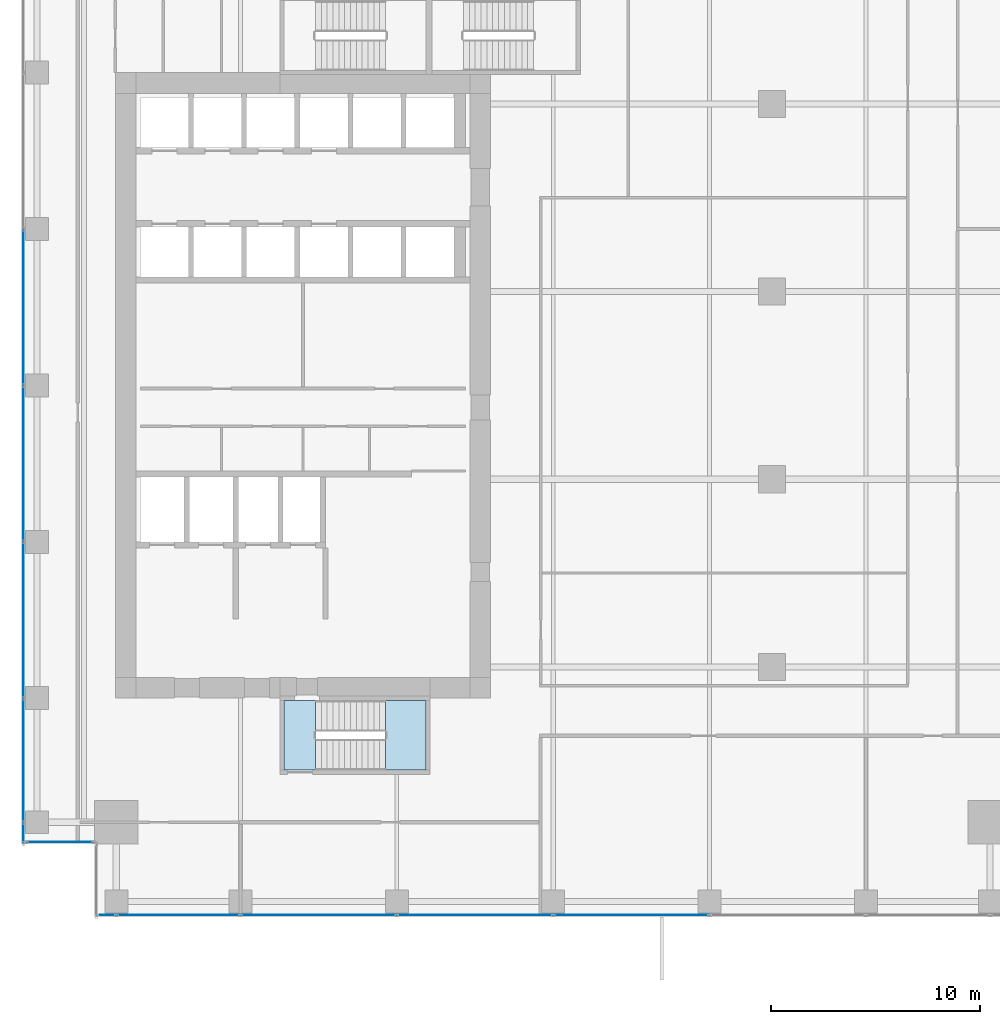
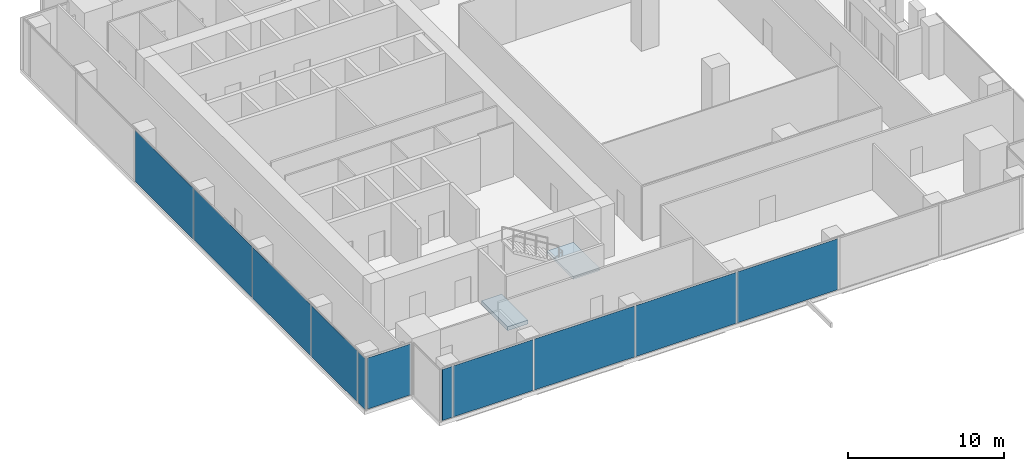
# One storey, part 23 of 34: 11 plates, 2 slabs, 4 elements without a shape of their own.
"""IFC4 building model written with IfcOpenShell, lengths in metres."""

from ifc_helpers import new_model, si_unit, direction, frame, origin, origin_2d, place, context, subcontext, project, spatial, polyline, rectangle, outline, extrude, source, transform, mapped, material, layer, layer_set, type_object, element, aggregate, save


model = new_model("IFC4")

# Units and contexts
model_context = context("Model", 3, precision=1e-05, world=origin(), true_north=direction((0.0, 1.0)))
body_context = subcontext(model_context, "Body", "Model", "MODEL_VIEW")
ifc_project = project(units=[si_unit("LENGTHUNIT", "METRE"), si_unit("AREAUNIT", "SQUARE_METRE"), si_unit("VOLUMEUNIT", "CUBIC_METRE"), si_unit("PLANEANGLEUNIT", "RADIAN"), si_unit("MASSUNIT", "GRAM", prefix="KILO")], contexts=[model_context])

# Site, building, storey
site_placement = place(None, origin())
site = spatial("IfcSite", under=ifc_project, at=site_placement, CompositionType="ELEMENT")
building_placement = place(site_placement, origin())
building = spatial("IfcBuilding", under=site, at=building_placement, Name="Khomas Fold Tower", CompositionType="ELEMENT")
storey_placement = place(building_placement, frame((0.0, 0.0, 145.5)))
storey = spatial("IfcBuildingStorey", under=building, at=storey_placement, Name="L31", CompositionType="ELEMENT", Elevation=145.5)

# Curtain wall, plates
ifc_material_1 = material(Name="Aluminium framed double glazing", Category="aluminium")
curtain_wall_type = type_object("IfcCurtainWallType", Name="SK-Unitised clear-glass wall, growing floors CW1", PredefinedType="NOTDEFINED", material=ifc_material_1)
curtain_wall_1_placement = place(storey_placement, origin())
curtain_wall_1 = element("IfcCurtainWall", 1, at=curtain_wall_1_placement, inside=storey, type_object=curtain_wall_type, Name="CW1 run L31 00-0", PredefinedType="NOTDEFINED")
ifc_material_2 = material(Name="Clear double glazed unit")
ifc_layer_1 = layer(ifc_material_2, 0.031982421875)
ifc_layer_set_1 = layer_set([ifc_layer_1], Name="Clear double glazed unit")
plate_type = type_object("IfcPlateType", Name="SK-Unitised clear-glass wall, growing floors glass panel CW1-P", PredefinedType="CURTAIN_PANEL", material=ifc_layer_set_1)
shared_shape_1 = source(origin(), body_context, "Body", "SweptSolid", [
    extrude(rectangle(XDim=0.760009765625, YDim=0.031982421875, at=origin_2d()), origin(), (0.0, 0.0, 1.0), 3.97998046875),
])
plate_1_placement = place(storey_placement, frame((5.639892578125, 1.60009765625, 0.0), z_axis=(0.0, 0.0, 1.0), x_axis=(1.0, 0.0, 0.0)))
plate_1 = element("IfcPlate", 2, at=plate_1_placement, type_object=plate_type, Name="CW1 glass panel 1", PredefinedType="CURTAIN_PANEL", context=body_context, shape_type="MappedRepresentation", body=[
    mapped(shared_shape_1, transform((0.0, 0.0, 0.0))),
])
shared_shape_2 = source(origin(), body_context, "Body", "SweptSolid", [
    extrude(rectangle(XDim=5.889892578125, YDim=0.031982421875, at=origin_2d()), origin(), (0.0, 0.0, 1.0), 3.97998046875),
])
plate_2_placement = place(storey_placement, frame((9.02490234375, 1.60009765625, 0.0), z_axis=(0.0, 0.0, 1.0), x_axis=(1.0, 0.0, 0.0)))
plate_2 = element("IfcPlate", 3, at=plate_2_placement, type_object=plate_type, Name="CW1 glass panel 2", PredefinedType="CURTAIN_PANEL", context=body_context, shape_type="MappedRepresentation", body=[
    mapped(shared_shape_2, transform((0.0, 0.0, 0.0))),
])

# Curtain wall, plate
curtain_wall_2_placement = place(storey_placement, origin())
curtain_wall_2 = element("IfcCurtainWall", 4, at=curtain_wall_2_placement, inside=storey, type_object=curtain_wall_type, Name="CW1 run L31 09-0", PredefinedType="NOTDEFINED")
plate_3_placement = place(storey_placement, frame((1.60009765625, 9.02490234375, 0.0), z_axis=(0.0, 0.0, 1.0), x_axis=(0.0, -1.0, 0.0)))
plate_3 = element("IfcPlate", 5, at=plate_3_placement, type_object=plate_type, Name="CW1 glass panel 7", PredefinedType="CURTAIN_PANEL", context=body_context, shape_type="MappedRepresentation", body=[
    mapped(shared_shape_2, transform((0.0, 0.0, 0.0))),
])

# Plate
shared_shape_3 = source(origin(), body_context, "Body", "SweptSolid", [
    extrude(rectangle(XDim=7.43994140625, YDim=0.031982421875, at=origin_2d()), origin(), (0.0, 0.0, 1.0), 3.97998046875),
])
plate_4_placement = place(storey_placement, frame((15.75, 1.60009765625, 0.0), z_axis=(0.0, 0.0, 1.0), x_axis=(1.0, 0.0, 0.0)))
plate_4 = element("IfcPlate", 6, at=plate_4_placement, type_object=plate_type, Name="CW1 glass panel 3", PredefinedType="CURTAIN_PANEL", context=body_context, shape_type="MappedRepresentation", body=[
    mapped(shared_shape_3, transform((0.0, 0.0, 0.0))),
])

plate_5_placement = place(storey_placement, frame((23.25, 1.60009765625, 0.0), z_axis=(0.0, 0.0, 1.0), x_axis=(1.0, 0.0, 0.0)))
plate_5 = element("IfcPlate", 7, at=plate_5_placement, type_object=plate_type, Name="CW1 glass panel 4", PredefinedType="CURTAIN_PANEL", context=body_context, shape_type="MappedRepresentation", body=[
    mapped(shared_shape_3, transform((0.0, 0.0, 0.0))),
])

plate_6_placement = place(storey_placement, frame((30.75, 1.60009765625, 0.0), z_axis=(0.0, 0.0, 1.0), x_axis=(1.0, 0.0, 0.0)))
plate_6 = element("IfcPlate", 8, at=plate_6_placement, type_object=plate_type, Name="CW1 glass panel 5", PredefinedType="CURTAIN_PANEL", context=body_context, shape_type="MappedRepresentation", body=[
    mapped(shared_shape_3, transform((0.0, 0.0, 0.0))),
])

aggregate(curtain_wall_1, [plate_1, plate_2, plate_4, plate_5, plate_6])

plate_7_placement = place(storey_placement, frame((1.60009765625, 30.75, 0.0), z_axis=(0.0, 0.0, 1.0), x_axis=(0.0, -1.0, 0.0)))
plate_7 = element("IfcPlate", 9, at=plate_7_placement, type_object=plate_type, Name="CW1 glass panel 4", PredefinedType="CURTAIN_PANEL", context=body_context, shape_type="MappedRepresentation", body=[
    mapped(shared_shape_3, transform((0.0, 0.0, 0.0))),
])

plate_8_placement = place(storey_placement, frame((1.60009765625, 23.25, 0.0), z_axis=(0.0, 0.0, 1.0), x_axis=(0.0, -1.0, 0.0)))
plate_8 = element("IfcPlate", 10, at=plate_8_placement, type_object=plate_type, Name="CW1 glass panel 5", PredefinedType="CURTAIN_PANEL", context=body_context, shape_type="MappedRepresentation", body=[
    mapped(shared_shape_3, transform((0.0, 0.0, 0.0))),
])

plate_9_placement = place(storey_placement, frame((1.60009765625, 15.75, 0.0), z_axis=(0.0, 0.0, 1.0), x_axis=(0.0, -1.0, 0.0)))
plate_9 = element("IfcPlate", 11, at=plate_9_placement, type_object=plate_type, Name="CW1 glass panel 6", PredefinedType="CURTAIN_PANEL", context=body_context, shape_type="MappedRepresentation", body=[
    mapped(shared_shape_3, transform((0.0, 0.0, 0.0))),
])

shared_shape_4 = source(origin(), body_context, "Body", "SweptSolid", [
    extrude(rectangle(XDim=0.9599609375, YDim=0.031982421875, at=origin_2d()), origin(), (0.0, 0.0, 1.0), 3.97998046875),
])
plate_10_placement = place(storey_placement, frame((1.60009765625, 5.5400390625, 0.0), z_axis=(0.0, 0.0, 1.0), x_axis=(0.0, -1.0, 0.0)))
plate_10 = element("IfcPlate", 12, at=plate_10_placement, type_object=plate_type, Name="CW1 glass panel 8", PredefinedType="CURTAIN_PANEL", context=body_context, shape_type="MappedRepresentation", body=[
    mapped(shared_shape_4, transform((0.0, 0.0, 0.0))),
])

aggregate(curtain_wall_2, [plate_7, plate_8, plate_9, plate_3, plate_10])

# Curtain wall, plate
curtain_wall_3_placement = place(storey_placement, origin())
curtain_wall_3 = element("IfcCurtainWall", 13, at=curtain_wall_3_placement, inside=storey, type_object=curtain_wall_type, Name="CW1 corner return L31 10", PredefinedType="NOTDEFINED")
shared_shape_5 = source(origin(), body_context, "Body", "SweptSolid", [
    extrude(rectangle(XDim=3.179931640625, YDim=0.031982421875, at=origin_2d()), origin(), (0.0, 0.0, 1.0), 3.97998046875),
])
plate_11_placement = place(storey_placement, frame((3.35009765625, 5.10009765625, 0.0), z_axis=(0.0, 0.0, 1.0), x_axis=(1.0, 0.0, 0.0)))
plate_11 = element("IfcPlate", 14, at=plate_11_placement, type_object=plate_type, Name="CW1 glass panel 1", PredefinedType="CURTAIN_PANEL", context=body_context, shape_type="MappedRepresentation", body=[
    mapped(shared_shape_5, transform((0.0, 0.0, 0.0))),
])
aggregate(curtain_wall_3, [plate_11])

# Stair, slab
ifc_material_3 = material(Name="Concrete C40/50", Category="concrete")
stair_type = type_object("IfcStairType", Name="Stair ST2", PredefinedType="HALF_TURN_STAIR", material=ifc_material_3)
stair_placement = place(storey_placement, origin())
stair = element("IfcStair", 15, at=stair_placement, inside=storey, type_object=stair_type, Name="L31 ST2", PredefinedType="HALF_TURN_STAIR")
ifc_material_4 = material(Name="Concrete C40/50", Category="concrete")
ifc_layer_2 = layer(ifc_material_4, 0.199951171875)
ifc_layer_set_2 = layer_set([ifc_layer_2], Name="Concrete C40/50")
slab_type_1 = type_object("IfcSlabType", Name="Stair landing 200", PredefinedType="LANDING", material=ifc_layer_set_2)
shared_shape_6 = source(origin(), body_context, "Body", "SweptSolid", [
    extrude(outline(polyline([(18.9599609375, 8.550048828125), (20.89990234375, 8.550048828125), (20.89990234375, 11.89990234375), (18.9599609375, 11.89990234375), (18.9599609375, 8.550048828125)])), origin(), (0.0, 0.0, 1.0), 0.199951171875),
])
slab_1_placement = place(storey_placement, frame((0.0, 0.0, 2.0)))
slab_1 = element("IfcSlab", 16, at=slab_1_placement, type_object=slab_type_1, Name="ST2 landing 1", PredefinedType="LANDING", context=body_context, shape_type="MappedRepresentation", body=[
    mapped(shared_shape_6, transform((0.0, 0.0, 0.0))),
])
aggregate(stair, [slab_1])

# Slab
ifc_material_5 = material(Name="Concrete C40/50", Category="concrete")
ifc_layer_3 = layer(ifc_material_5, 0.300048828125)
ifc_layer_set_3 = layer_set([ifc_layer_3], Name="Concrete C40/50")
slab_type_2 = type_object("IfcSlabType", Name="Stair floor landing 300", PredefinedType="LANDING", material=ifc_layer_set_3)
shared_shape_7 = source(origin(), body_context, "Body", "SweptSolid", [
    extrude(outline(polyline([(15.60009765625, 8.550048828125), (14.10009765625, 8.550048828125), (14.10009765625, 11.89990234375), (15.60009765625, 11.89990234375), (15.60009765625, 8.550048828125)])), origin(), (0.0, 0.0, 1.0), 0.300048828125),
])
slab_2_placement = place(storey_placement, frame((0.0, 0.0, -0.300048828125)))
element("IfcSlab", 17, at=slab_2_placement, inside=storey, type_object=slab_type_2, Name="ST2 floor landing", PredefinedType="LANDING", context=body_context, shape_type="MappedRepresentation", body=[
    mapped(shared_shape_7, transform((0.0, 0.0, 0.0))),
])

save(model, "model.ifc")
